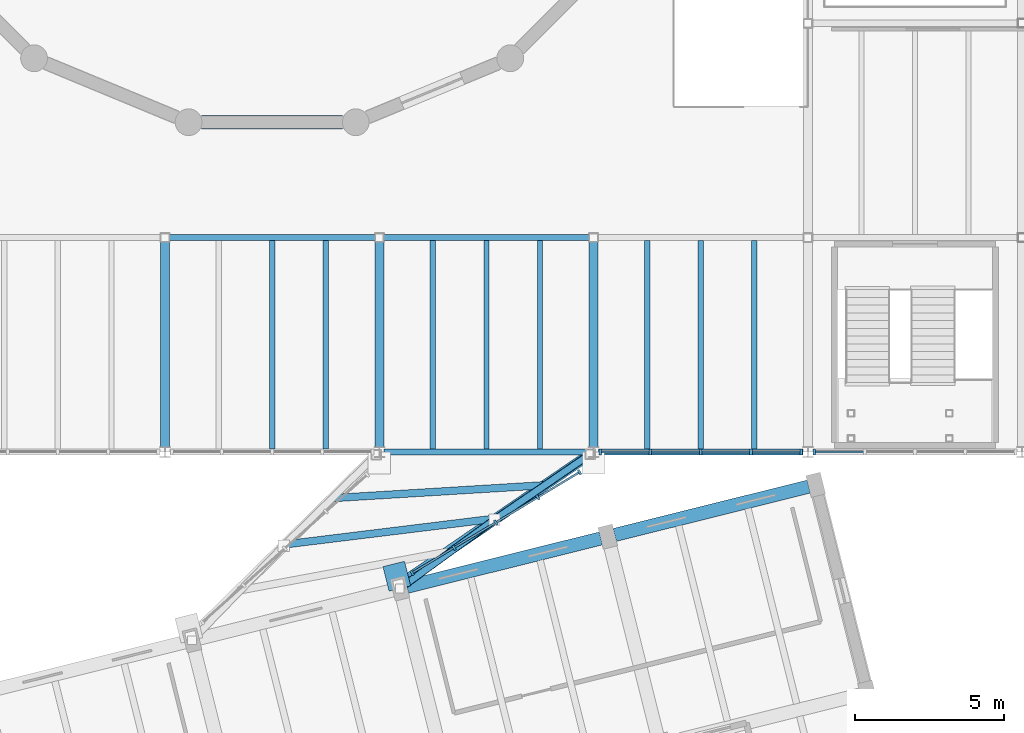
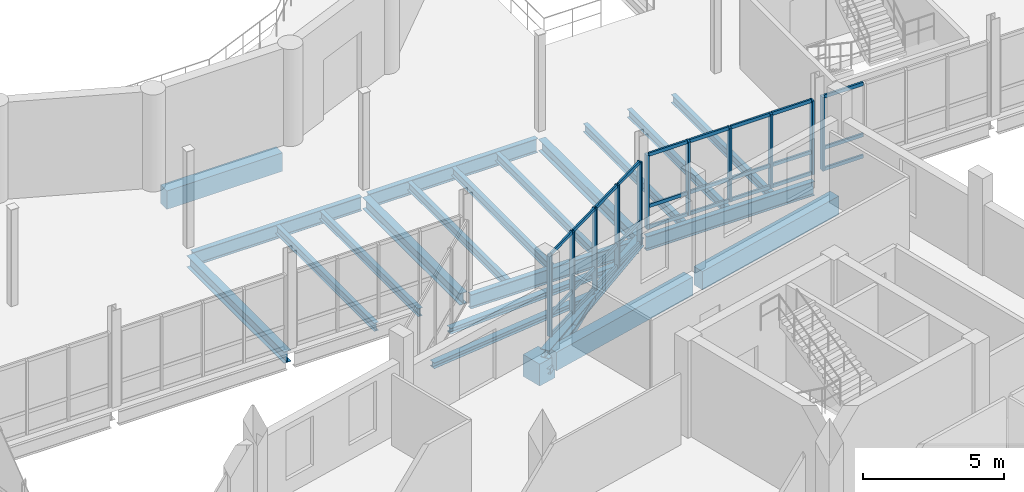
# One storey, part 24 of 72: 40 members, 22 beams, 3 elements without a shape of their own.
"""IFC4 building model written with IfcOpenShell, lengths in metres."""

from ifc_helpers import new_model, si_unit, direction, frame, origin, origin_2d, place, context, subcontext, project, spatial, rectangle, hollow_rectangle, i_section, extrude, material, material_profile, profile_set, type_object, element, aggregate, save


model = new_model("IFC4")

# Units and contexts
model_context = context("Model", 3, precision=1e-05, world=origin(), true_north=direction((0.0, 1.0)))
body_context = subcontext(model_context, "Body", "Model", "MODEL_VIEW")
ifc_project = project(units=[si_unit("LENGTHUNIT", "METRE"), si_unit("AREAUNIT", "SQUARE_METRE"), si_unit("VOLUMEUNIT", "CUBIC_METRE"), si_unit("PLANEANGLEUNIT", "RADIAN"), si_unit("MASSUNIT", "GRAM", prefix="KILO")], contexts=[model_context])

# Site, building, storey
site_placement = place(None, origin())
site = spatial("IfcSite", under=ifc_project, at=site_placement, CompositionType="ELEMENT")
building_placement = place(site_placement, origin())
building = spatial("IfcBuilding", under=site, at=building_placement, Name="Qiaolan Assembly House", CompositionType="ELEMENT")
storey_placement = place(building_placement, frame((0.0, 0.0, 10.199951171875)))
storey = spatial("IfcBuildingStorey", under=building, at=storey_placement, Name="L02", CompositionType="ELEMENT", Elevation=10.199951171875)

# Beams
ifc_material_1 = material(Name="Steel Q355B", Category="steel")
ifc_material_profile_1 = material_profile(ifc_material_1, i_section(OverallWidth=0.35009765625, OverallDepth=0.35009765625, WebThickness=0.011962890625, FlangeThickness=0.01904296875, FilletRadius=0.02001953125, at=origin_2d()), Name="HW 350x350x12x19-BR")
ifc_profile_set_1 = profile_set([ifc_material_profile_1], Name="Steel Q355B")
beam_type_1 = type_object("IfcBeamType", Name="BM-BRIDGE-CHORD-HW350", PredefinedType="BEAM", material=ifc_profile_set_1)
beam_1_placement = place(storey_placement, frame((72.662353515625, 31.52587890625, -0.364990234375), z_axis=(0.825251082805, 0.564766013787, 0.0), x_axis=(-0.564766013787, 0.825251082805, 0.0)))
element("IfcBeam", 1, at=beam_1_placement, inside=storey, type_object=beam_type_1, Name="BGB-01 skybridge main girder EB L02", PredefinedType="BEAM", context=body_context, shape_type="SweptSolid", body=[
    extrude(i_section(OverallWidth=0.35009765625, OverallDepth=0.35009765625, WebThickness=0.011962890625, FlangeThickness=0.01904296875, FilletRadius=0.02001953125, at=origin_2d()), origin(), (0.0, 0.0, 1.0), 7.781982421875),
])
ifc_material_profile_2 = material_profile(ifc_material_1, i_section(OverallWidth=0.25, OverallDepth=0.25, WebThickness=0.009033203125, FlangeThickness=0.013916015625, FilletRadius=0.01611328125, at=origin_2d()), Name="HW 250x250x9x14")
ifc_profile_set_2 = profile_set([ifc_material_profile_2], Name="Steel Q355B")
beam_type_2 = type_object("IfcBeamType", Name="BM-BRIDGE-CROSS-HW250", PredefinedType="BEAM", material=ifc_profile_set_2)
beam_2_placement = place(storey_placement, frame((68.838134765625, 32.89208984375, -0.31494140625), z_axis=(0.992547225406, 0.121860597977, 0.0), x_axis=(-0.121860597977, 0.992547225406, 0.0)))
element("IfcBeam", 2, at=beam_2_placement, inside=storey, type_object=beam_type_2, Name="BGB-02 skybridge cross beam EB L02", PredefinedType="BEAM", context=body_context, shape_type="SweptSolid", body=[
    extrude(i_section(OverallWidth=0.25, OverallDepth=0.25, WebThickness=0.009033203125, FlangeThickness=0.013916015625, FilletRadius=0.01611328125, at=origin_2d()), origin(), (0.0, 0.0, 1.0), 7.146240234375),
])
beam_3_placement = place(storey_placement, frame((70.4189453125, 34.446044921875, -0.31494140625), z_axis=(0.998150169795, 0.060796698416, 0.0), x_axis=(-0.060796698416, 0.998150169795, 0.0)))
element("IfcBeam", 3, at=beam_3_placement, inside=storey, type_object=beam_type_2, Name="BGB-02 skybridge cross beam EB L02", PredefinedType="BEAM", context=body_context, shape_type="SweptSolid", body=[
    extrude(i_section(OverallWidth=0.25, OverallDepth=0.25, WebThickness=0.009033203125, FlangeThickness=0.013916015625, FilletRadius=0.01611328125, at=origin_2d()), origin(), (0.0, 0.0, 1.0), 7.159912109375),
])
ifc_material_2 = material(Name="Concrete C50/60", Category="concrete")
ifc_material_profile_3 = material_profile(ifc_material_2, rectangle(XDim=0.75, YDim=0.949951171875, at=origin_2d()), Name="RCB 750x950")
ifc_profile_set_3 = profile_set([ifc_material_profile_3], Name="Concrete C50/60")
beam_type_3 = type_object("IfcBeamType", Name="BM-CORBEL-750x950", PredefinedType="SPANDREL", material=ifc_profile_set_3)
beam_4_placement = place(storey_placement, frame((72.691162109375, 31.409423828125, -1.051025390625), z_axis=(-0.241859697247, 0.97031123195, 0.0), x_axis=(-0.97031123195, -0.241859697247, 0.0)))
element("IfcBeam", 4, at=beam_4_placement, inside=storey, type_object=beam_type_3, Name="CB-01 movement-joint RC corbel EB L02 SE", PredefinedType="SPANDREL", context=body_context, shape_type="SweptSolid", body=[
    extrude(rectangle(XDim=0.75, YDim=0.949951171875, at=origin_2d()), origin(), (0.0, 0.0, 1.0), 0.849853515625),
])
ifc_material_3 = material(Name="Concrete C40/50", Category="concrete")
ifc_material_profile_4 = material_profile(ifc_material_3, rectangle(XDim=0.449951171875, YDim=0.800048828125, at=origin_2d()), Name="RCB 450x800")
ifc_profile_set_4 = profile_set([ifc_material_profile_4], Name="Concrete C40/50")
beam_type_4 = type_object("IfcBeamType", Name="BM-RC-450x800", PredefinedType="BEAM", material=ifc_profile_set_4)
for number, where, z_axis, x_axis, name in (
    (5, (72.924072265625, 31.467529296875, -0.64990234375), (0.970296172283, 0.241920106756, 0.0), (-0.241920106756, 0.970296172283, 0.0), "GB-03 beam BMU-SE-L02-06-03"),
    (6, (79.91015625, 33.209228515625, -0.64990234375), (0.970296172283, 0.241920106756, 0.0), (-0.241920106756, 0.970296172283, 0.0), "GB-03 beam BMU-SE-L02-07-03"),
):
    element("IfcBeam", number, at=place(storey_placement, frame(where, z_axis=z_axis, x_axis=x_axis)), inside=storey, type_object=beam_type_4, Name=name, PredefinedType="BEAM", context=body_context, shape_type="SweptSolid", body=[
        extrude(rectangle(XDim=0.449951171875, YDim=0.800048828125, at=origin_2d()), origin(), (0.0, 0.0, 1.0), 6.72021484375),
    ])
beam_5_placement = place(storey_placement, frame((66.03076171875, 47.07666015625, -0.68994140625), z_axis=(1.0, 0.0, 0.0), x_axis=(0.0, 1.0, 0.0)))
element("IfcBeam", 7, at=beam_5_placement, inside=storey, type_object=beam_type_4, Name="GB-03 beam BM-DRUM-L02-11", PredefinedType="BEAM", context=body_context, shape_type="SweptSolid", body=[
    extrude(rectangle(XDim=0.449951171875, YDim=0.800048828125, at=origin_2d()), origin(), (0.0, 0.0, 1.0), 4.738525390625),
])
ifc_material_profile_5 = material_profile(ifc_material_1, i_section(OverallWidth=0.300048828125, OverallDepth=0.5, WebThickness=0.010986328125, FlangeThickness=0.01806640625, FilletRadius=0.02001953125, at=origin_2d()), Name="HM 500x300x11x18")
ifc_profile_set_5 = profile_set([ifc_material_profile_5], Name="Steel Q355B")
beam_type_5 = type_object("IfcBeamType", Name="BM-STL-HM500", PredefinedType="BEAM", material=ifc_profile_set_5)
for number, where, z_axis, x_axis, name in (
    (8, (64.800048828125, 36.1650390625, -0.550048828125), (0.0, 1.0, 0.0), (-1.0, 0.0, 0.0), "SB-15 beam BMY-HL-L02-06-00"),
    (9, (72.0, 36.1650390625, -0.550048828125), (0.0, 1.0, 0.0), (-1.0, 0.0, 0.0), "SB-15 beam BMY-HL-L02-07-00"),
    (10, (79.199951171875, 36.1650390625, -0.550048828125), (0.0, 1.0, 0.0), (-1.0, 0.0, 0.0), "SB-15 beam BMY-HL-L02-08-00"),
):
    element("IfcBeam", number, at=place(storey_placement, frame(where, z_axis=z_axis, x_axis=x_axis)), inside=storey, type_object=beam_type_5, Name=name, PredefinedType="BEAM", context=body_context, shape_type="SweptSolid", body=[
        extrude(i_section(OverallWidth=0.300048828125, OverallDepth=0.5, WebThickness=0.010986328125, FlangeThickness=0.01806640625, FilletRadius=0.02001953125, at=origin_2d()), origin(), (0.0, 0.0, 1.0), 6.89501953125),
    ])
ifc_material_profile_6 = material_profile(ifc_material_1, i_section(OverallWidth=0.2099609375, OverallDepth=0.610107421875, WebThickness=0.010986328125, FlangeThickness=0.01806640625, FilletRadius=0.02001953125, at=origin_2d()), Name="HN 610x210x11x18")
ifc_profile_set_6 = profile_set([ifc_material_profile_6], Name="Steel Q355B")
beam_type_6 = type_object("IfcBeamType", Name="BM-STL-HN610", PredefinedType="BEAM", material=ifc_profile_set_6)
beam_6_placement = place(storey_placement, frame((72.1650390625, 36.0, -0.60498046875), z_axis=(1.0, 0.0, 0.0), x_axis=(0.0, 1.0, 0.0)))
element("IfcBeam", 11, at=beam_6_placement, inside=storey, type_object=beam_type_6, Name="SB-11 beam BMX-HL-L02-07-00", PredefinedType="BEAM", context=body_context, shape_type="SweptSolid", body=[
    extrude(i_section(OverallWidth=0.2099609375, OverallDepth=0.610107421875, WebThickness=0.010986328125, FlangeThickness=0.01806640625, FilletRadius=0.02001953125, at=origin_2d()), origin(), (0.0, 0.0, 1.0), 6.869873046875),
])
beam_7_placement = place(storey_placement, frame((79.364990234375, 36.0, -0.60498046875), z_axis=(1.0, 0.0, 0.0), x_axis=(0.0, 1.0, 0.0)))
element("IfcBeam", 12, at=beam_7_placement, inside=storey, type_object=beam_type_6, Name="SB-11 beam BMX-HL-L02-08-00", PredefinedType="BEAM", context=body_context, shape_type="SweptSolid", body=[
    extrude(i_section(OverallWidth=0.2099609375, OverallDepth=0.610107421875, WebThickness=0.010986328125, FlangeThickness=0.01806640625, FilletRadius=0.02001953125, at=origin_2d()), origin(), (0.0, 0.0, 1.0), 6.8701171875),
])
for number, where, z_axis, x_axis, name in (
    (13, (64.93994140625, 43.199951171875, -0.60498046875), (1.0, 0.0, 0.0), (0.0, 1.0, 0.0), "SB-11 beam BMX-HL-L02-06-01"),
    (14, (72.139892578125, 43.199951171875, -0.60498046875), (1.0, 0.0, 0.0), (0.0, 1.0, 0.0), "SB-11 beam BMX-HL-L02-07-01"),
):
    element("IfcBeam", number, at=place(storey_placement, frame(where, z_axis=z_axis, x_axis=x_axis)), inside=storey, type_object=beam_type_6, Name=name, PredefinedType="BEAM", context=body_context, shape_type="SweptSolid", body=[
        extrude(i_section(OverallWidth=0.2099609375, OverallDepth=0.610107421875, WebThickness=0.010986328125, FlangeThickness=0.01806640625, FilletRadius=0.02001953125, at=origin_2d()), origin(), (0.0, 0.0, 1.0), 6.920166015625),
    ])

# Curtain wall, members
ifc_material_4 = material(Name="Anodised bronze aluminium", Category="aluminium")
curtain_wall_type_1 = type_object("IfcCurtainWallType", Name="CW-BRIDGE-420", PredefinedType="NOTDEFINED", material=ifc_material_4)
curtain_wall_1_placement = place(storey_placement, origin())
curtain_wall_1 = element("IfcCurtainWall", 15, at=curtain_wall_1_placement, inside=storey, type_object=curtain_wall_type_1, Name="CW-03 Glazed Skybridge Curtain Wall EB L02 E", PredefinedType="NOTDEFINED")
ifc_material_profile_7 = material_profile(ifc_material_4, rectangle(XDim=0.077880859375, YDim=0.179931640625, at=origin_2d()), Name="MUL 78x180")
ifc_profile_set_7 = profile_set([ifc_material_profile_7], Name="Anodised bronze aluminium")
member_type_1 = type_object("IfcMemberType", Name="CW-BRIDGE-420-MUL", PredefinedType="MULLION", material=ifc_profile_set_7)
member_1_placement = place(storey_placement, frame((78.728515625, 35.316650390625, 0.0), z_axis=(0.0, 0.0, 1.0), x_axis=(-0.857119666196, -0.515117343739, 0.0)))
member_1 = element("IfcMember", 16, at=member_1_placement, type_object=member_type_1, Name="ML-04 mullion CW-BRIDGE-EB-L02-E-1", PredefinedType="MULLION", context=body_context, shape_type="SweptSolid", body=[
    extrude(rectangle(XDim=0.077880859375, YDim=0.179931640625, at=origin_2d()), origin(), (0.0, 0.0, 1.0), 3.550048828125),
])
member_2_placement = place(storey_placement, frame((77.322021484375, 34.471435546875, 0.0), z_axis=(0.0, 0.0, 1.0), x_axis=(-0.857119666196, -0.515117343739, 0.0)))
member_2 = element("IfcMember", 17, at=member_2_placement, type_object=member_type_1, Name="ML-04 mullion CW-BRIDGE-EB-L02-E-2", PredefinedType="MULLION", context=body_context, shape_type="SweptSolid", body=[
    extrude(rectangle(XDim=0.077880859375, YDim=0.179931640625, at=origin_2d()), origin(), (0.0, 0.0, 1.0), 3.550048828125),
])
member_3_placement = place(storey_placement, frame((75.91552734375, 33.6259765625, 0.0), z_axis=(0.0, 0.0, 1.0), x_axis=(-0.857119666196, -0.515117343739, 0.0)))
member_3 = element("IfcMember", 18, at=member_3_placement, type_object=member_type_1, Name="ML-04 mullion CW-BRIDGE-EB-L02-E-3", PredefinedType="MULLION", context=body_context, shape_type="SweptSolid", body=[
    extrude(rectangle(XDim=0.077880859375, YDim=0.179931640625, at=origin_2d()), origin(), (0.0, 0.0, 1.0), 3.550048828125),
])
member_4_placement = place(storey_placement, frame((74.5087890625, 32.78076171875, 0.0), z_axis=(0.0, 0.0, 1.0), x_axis=(-0.857119666196, -0.515117343739, 0.0)))
member_4 = element("IfcMember", 19, at=member_4_placement, type_object=member_type_1, Name="ML-04 mullion CW-BRIDGE-EB-L02-E-4", PredefinedType="MULLION", context=body_context, shape_type="SweptSolid", body=[
    extrude(rectangle(XDim=0.077880859375, YDim=0.179931640625, at=origin_2d()), origin(), (0.0, 0.0, 1.0), 3.550048828125),
])
member_5_placement = place(storey_placement, frame((73.102294921875, 31.935302734375, 0.0), z_axis=(0.0, 0.0, 1.0), x_axis=(-0.857119666196, -0.515117343739, 0.0)))
member_5 = element("IfcMember", 20, at=member_5_placement, type_object=member_type_1, Name="ML-04 mullion CW-BRIDGE-EB-L02-E-5", PredefinedType="MULLION", context=body_context, shape_type="SweptSolid", body=[
    extrude(rectangle(XDim=0.077880859375, YDim=0.179931640625, at=origin_2d()), origin(), (0.0, 0.0, 1.0), 3.550048828125),
])
ifc_material_profile_8 = material_profile(ifc_material_4, rectangle(XDim=0.068115234375, YDim=0.139892578125, at=origin_2d()), Name="TRN 68x140")
ifc_profile_set_8 = profile_set([ifc_material_profile_8], Name="Anodised bronze aluminium")
member_type_2 = type_object("IfcMemberType", Name="CW-BRIDGE-420-TRN", PredefinedType="USERDEFINED", material=ifc_profile_set_8)
member_6_placement = place(storey_placement, frame((78.695068359375, 35.296630859375, 0.030029296875), z_axis=(-0.857092967723, -0.515161765546, 0.0), x_axis=(0.515161765546, -0.857092967723, 0.0)))
member_6 = element("IfcMember", 21, at=member_6_placement, type_object=member_type_2, Name="TR-04 transom CW-BRIDGE-EB-L02-E-1-1", ObjectType="TRANSOM", PredefinedType="USERDEFINED", context=body_context, shape_type="SweptSolid", body=[
    extrude(rectangle(XDim=0.068115234375, YDim=0.139892578125, at=origin_2d()), origin(), (0.0, 0.0, 1.0), 1.56298828125),
])
member_7_placement = place(storey_placement, frame((78.695068359375, 35.296630859375, 0.949951171875), z_axis=(-0.857092967723, -0.515161765546, 0.0), x_axis=(0.515161765546, -0.857092967723, 0.0)))
member_7 = element("IfcMember", 22, at=member_7_placement, type_object=member_type_2, Name="TR-04 transom CW-BRIDGE-EB-L02-E-1-2", ObjectType="TRANSOM", PredefinedType="USERDEFINED", context=body_context, shape_type="SweptSolid", body=[
    extrude(rectangle(XDim=0.068115234375, YDim=0.139892578125, at=origin_2d()), origin(), (0.0, 0.0, 1.0), 1.56298828125),
])
member_8_placement = place(storey_placement, frame((78.695068359375, 35.296630859375, 3.52001953125), z_axis=(-0.857092967723, -0.515161765546, 0.0), x_axis=(0.515161765546, -0.857092967723, 0.0)))
member_8 = element("IfcMember", 23, at=member_8_placement, type_object=member_type_2, Name="TR-04 transom CW-BRIDGE-EB-L02-E-1-3", ObjectType="TRANSOM", PredefinedType="USERDEFINED", context=body_context, shape_type="SweptSolid", body=[
    extrude(rectangle(XDim=0.068115234375, YDim=0.139892578125, at=origin_2d()), origin(), (0.0, 0.0, 1.0), 1.56298828125),
])
member_9_placement = place(storey_placement, frame((77.28857421875, 34.451171875, 0.030029296875), z_axis=(-0.857092967723, -0.515161765546, 0.0), x_axis=(0.515161765546, -0.857092967723, 0.0)))
member_9 = element("IfcMember", 24, at=member_9_placement, type_object=member_type_2, Name="TR-04 transom CW-BRIDGE-EB-L02-E-2-1", ObjectType="TRANSOM", PredefinedType="USERDEFINED", context=body_context, shape_type="SweptSolid", body=[
    extrude(rectangle(XDim=0.068115234375, YDim=0.139892578125, at=origin_2d()), origin(), (0.0, 0.0, 1.0), 1.56298828125),
])
member_10_placement = place(storey_placement, frame((77.28857421875, 34.451171875, 0.949951171875), z_axis=(-0.857092967723, -0.515161765546, 0.0), x_axis=(0.515161765546, -0.857092967723, 0.0)))
member_10 = element("IfcMember", 25, at=member_10_placement, type_object=member_type_2, Name="TR-04 transom CW-BRIDGE-EB-L02-E-2-2", ObjectType="TRANSOM", PredefinedType="USERDEFINED", context=body_context, shape_type="SweptSolid", body=[
    extrude(rectangle(XDim=0.068115234375, YDim=0.139892578125, at=origin_2d()), origin(), (0.0, 0.0, 1.0), 1.56298828125),
])
member_11_placement = place(storey_placement, frame((77.28857421875, 34.451171875, 3.52001953125), z_axis=(-0.857092967723, -0.515161765546, 0.0), x_axis=(0.515161765546, -0.857092967723, 0.0)))
member_11 = element("IfcMember", 26, at=member_11_placement, type_object=member_type_2, Name="TR-04 transom CW-BRIDGE-EB-L02-E-2-3", ObjectType="TRANSOM", PredefinedType="USERDEFINED", context=body_context, shape_type="SweptSolid", body=[
    extrude(rectangle(XDim=0.068115234375, YDim=0.139892578125, at=origin_2d()), origin(), (0.0, 0.0, 1.0), 1.56298828125),
])
member_12_placement = place(storey_placement, frame((75.882080078125, 33.60595703125, 0.030029296875), z_axis=(-0.857134414714, -0.515092802428, 0.0), x_axis=(0.515092802428, -0.857134414714, 0.0)))
member_12 = element("IfcMember", 27, at=member_12_placement, type_object=member_type_2, Name="TR-04 transom CW-BRIDGE-EB-L02-E-3-1", ObjectType="TRANSOM", PredefinedType="USERDEFINED", context=body_context, shape_type="SweptSolid", body=[
    extrude(rectangle(XDim=0.068115234375, YDim=0.139892578125, at=origin_2d()), origin(), (0.0, 0.0, 1.0), 1.563232421875),
])
member_13_placement = place(storey_placement, frame((75.882080078125, 33.60595703125, 0.949951171875), z_axis=(-0.857134414714, -0.515092802428, 0.0), x_axis=(0.515092802428, -0.857134414714, 0.0)))
member_13 = element("IfcMember", 28, at=member_13_placement, type_object=member_type_2, Name="TR-04 transom CW-BRIDGE-EB-L02-E-3-2", ObjectType="TRANSOM", PredefinedType="USERDEFINED", context=body_context, shape_type="SweptSolid", body=[
    extrude(rectangle(XDim=0.068115234375, YDim=0.139892578125, at=origin_2d()), origin(), (0.0, 0.0, 1.0), 1.563232421875),
])
member_14_placement = place(storey_placement, frame((75.882080078125, 33.60595703125, 3.52001953125), z_axis=(-0.857134414714, -0.515092802428, 0.0), x_axis=(0.515092802428, -0.857134414714, 0.0)))
member_14 = element("IfcMember", 29, at=member_14_placement, type_object=member_type_2, Name="TR-04 transom CW-BRIDGE-EB-L02-E-3-3", ObjectType="TRANSOM", PredefinedType="USERDEFINED", context=body_context, shape_type="SweptSolid", body=[
    extrude(rectangle(XDim=0.068115234375, YDim=0.139892578125, at=origin_2d()), origin(), (0.0, 0.0, 1.0), 1.563232421875),
])
member_15_placement = place(storey_placement, frame((74.475341796875, 32.760498046875, 0.030029296875), z_axis=(-0.857092967723, -0.515161765546, 0.0), x_axis=(0.515161765546, -0.857092967723, 0.0)))
member_15 = element("IfcMember", 30, at=member_15_placement, type_object=member_type_2, Name="TR-04 transom CW-BRIDGE-EB-L02-E-4-1", ObjectType="TRANSOM", PredefinedType="USERDEFINED", context=body_context, shape_type="SweptSolid", body=[
    extrude(rectangle(XDim=0.068115234375, YDim=0.139892578125, at=origin_2d()), origin(), (0.0, 0.0, 1.0), 1.56298828125),
])
member_16_placement = place(storey_placement, frame((74.475341796875, 32.760498046875, 0.949951171875), z_axis=(-0.857092967723, -0.515161765546, 0.0), x_axis=(0.515161765546, -0.857092967723, 0.0)))
member_16 = element("IfcMember", 31, at=member_16_placement, type_object=member_type_2, Name="TR-04 transom CW-BRIDGE-EB-L02-E-4-2", ObjectType="TRANSOM", PredefinedType="USERDEFINED", context=body_context, shape_type="SweptSolid", body=[
    extrude(rectangle(XDim=0.068115234375, YDim=0.139892578125, at=origin_2d()), origin(), (0.0, 0.0, 1.0), 1.56298828125),
])
member_17_placement = place(storey_placement, frame((74.475341796875, 32.760498046875, 3.52001953125), z_axis=(-0.857092967723, -0.515161765546, 0.0), x_axis=(0.515161765546, -0.857092967723, 0.0)))
member_17 = element("IfcMember", 32, at=member_17_placement, type_object=member_type_2, Name="TR-04 transom CW-BRIDGE-EB-L02-E-4-3", ObjectType="TRANSOM", PredefinedType="USERDEFINED", context=body_context, shape_type="SweptSolid", body=[
    extrude(rectangle(XDim=0.068115234375, YDim=0.139892578125, at=origin_2d()), origin(), (0.0, 0.0, 1.0), 1.56298828125),
])
aggregate(curtain_wall_1, [member_1, member_2, member_3, member_4, member_5, member_6, member_7, member_8, member_9, member_10, member_11, member_12, member_13, member_14, member_15, member_16, member_17])

curtain_wall_type_2 = type_object("IfcCurtainWallType", Name="CW-HALL-UPPER-480", PredefinedType="NOTDEFINED", material=ifc_material_4)
curtain_wall_2_placement = place(storey_placement, origin())
curtain_wall_2 = element("IfcCurtainWall", 33, at=curtain_wall_2_placement, inside=storey, type_object=curtain_wall_type_2, Name="CW-01 Hall South plaza curtain wall L02-8", PredefinedType="NOTDEFINED")
ifc_material_profile_9 = material_profile(ifc_material_4, rectangle(XDim=0.0859375, YDim=0.199951171875, at=origin_2d()), Name="MUL 86x200")
ifc_profile_set_9 = profile_set([ifc_material_profile_9], Name="Anodised bronze aluminium")
member_type_3 = type_object("IfcMemberType", Name="CW-HALL-UPPER-480-MUL", PredefinedType="MULLION", material=ifc_profile_set_9)
member_18_placement = place(storey_placement, frame((79.419921875, 36.0, 0.0), z_axis=(0.0, 0.0, 1.0), x_axis=(1.0, 0.0, 0.0)))
member_18 = element("IfcMember", 34, at=member_18_placement, type_object=member_type_3, Name="ML-02 mullion CW-HALL-S-L02-07-1", PredefinedType="MULLION", context=body_context, shape_type="SweptSolid", body=[
    extrude(rectangle(XDim=0.0859375, YDim=0.199951171875, at=origin_2d()), origin(), (0.0, 0.0, 1.0), 3.199951171875),
])
member_19_placement = place(storey_placement, frame((81.110107421875, 36.0, 0.0), z_axis=(0.0, 0.0, 1.0), x_axis=(1.0, 0.0, 0.0)))
member_19 = element("IfcMember", 35, at=member_19_placement, type_object=member_type_3, Name="ML-02 mullion CW-HALL-S-L02-07-2", PredefinedType="MULLION", context=body_context, shape_type="SweptSolid", body=[
    extrude(rectangle(XDim=0.0859375, YDim=0.199951171875, at=origin_2d()), origin(), (0.0, 0.0, 1.0), 3.199951171875),
])
member_20_placement = place(storey_placement, frame((82.800048828125, 36.0, 0.0), z_axis=(0.0, 0.0, 1.0), x_axis=(1.0, 0.0, 0.0)))
member_20 = element("IfcMember", 36, at=member_20_placement, type_object=member_type_3, Name="ML-02 mullion CW-HALL-S-L02-07-3", PredefinedType="MULLION", context=body_context, shape_type="SweptSolid", body=[
    extrude(rectangle(XDim=0.0859375, YDim=0.199951171875, at=origin_2d()), origin(), (0.0, 0.0, 1.0), 3.199951171875),
])
member_21_placement = place(storey_placement, frame((84.489990234375, 36.0, 0.0), z_axis=(0.0, 0.0, 1.0), x_axis=(1.0, 0.0, 0.0)))
member_21 = element("IfcMember", 37, at=member_21_placement, type_object=member_type_3, Name="ML-02 mullion CW-HALL-S-L02-07-4", PredefinedType="MULLION", context=body_context, shape_type="SweptSolid", body=[
    extrude(rectangle(XDim=0.0859375, YDim=0.199951171875, at=origin_2d()), origin(), (0.0, 0.0, 1.0), 3.199951171875),
])
member_22_placement = place(storey_placement, frame((86.179931640625, 36.0, 0.0), z_axis=(0.0, 0.0, 1.0), x_axis=(1.0, 0.0, 0.0)))
member_22 = element("IfcMember", 38, at=member_22_placement, type_object=member_type_3, Name="ML-02 mullion CW-HALL-S-L02-07-5", PredefinedType="MULLION", context=body_context, shape_type="SweptSolid", body=[
    extrude(rectangle(XDim=0.0859375, YDim=0.199951171875, at=origin_2d()), origin(), (0.0, 0.0, 1.0), 3.199951171875),
])

# Curtain wall, member
curtain_wall_3_placement = place(storey_placement, origin())
curtain_wall_3 = element("IfcCurtainWall", 39, at=curtain_wall_3_placement, inside=storey, type_object=curtain_wall_type_2, Name="CW-01 Hall South plaza curtain wall L02-9", PredefinedType="NOTDEFINED")
member_23_placement = place(storey_placement, frame((86.6201171875, 36.0, 0.0), z_axis=(0.0, 0.0, 1.0), x_axis=(1.0, 0.0, 0.0)))
member_23 = element("IfcMember", 40, at=member_23_placement, type_object=member_type_3, Name="ML-02 mullion CW-HALL-S-L02-08-1", PredefinedType="MULLION", context=body_context, shape_type="SweptSolid", body=[
    extrude(rectangle(XDim=0.0859375, YDim=0.199951171875, at=origin_2d()), origin(), (0.0, 0.0, 1.0), 3.199951171875),
])

# Member
ifc_material_profile_10 = material_profile(ifc_material_4, rectangle(XDim=0.075927734375, YDim=0.14990234375, at=origin_2d()), Name="TRN 76x150")
ifc_profile_set_10 = profile_set([ifc_material_profile_10], Name="Anodised bronze aluminium")
member_type_4 = type_object("IfcMemberType", Name="CW-HALL-UPPER-480-TRN", PredefinedType="USERDEFINED", material=ifc_profile_set_10)
member_24_placement = place(storey_placement, frame((79.462890625, 36.0, 0.030029296875), z_axis=(1.0, 0.0, 0.0), x_axis=(0.0, 1.0, 0.0)))
member_24 = element("IfcMember", 41, at=member_24_placement, type_object=member_type_4, Name="TR-02 transom CW-HALL-S-L02-07-1-1", ObjectType="TRANSOM", PredefinedType="USERDEFINED", context=body_context, shape_type="SweptSolid", body=[
    extrude(rectangle(XDim=0.075927734375, YDim=0.14990234375, at=origin_2d()), origin(), (0.0, 0.0, 1.0), 1.60400390625),
])

member_25_placement = place(storey_placement, frame((79.462890625, 36.0, 0.949951171875), z_axis=(1.0, 0.0, 0.0), x_axis=(0.0, 1.0, 0.0)))
member_25 = element("IfcMember", 42, at=member_25_placement, type_object=member_type_4, Name="TR-02 transom CW-HALL-S-L02-07-1-2", ObjectType="TRANSOM", PredefinedType="USERDEFINED", context=body_context, shape_type="SweptSolid", body=[
    extrude(rectangle(XDim=0.075927734375, YDim=0.14990234375, at=origin_2d()), origin(), (0.0, 0.0, 1.0), 1.60400390625),
])

member_26_placement = place(storey_placement, frame((79.462890625, 36.0, 3.170166015625), z_axis=(1.0, 0.0, 0.0), x_axis=(0.0, 1.0, 0.0)))
member_26 = element("IfcMember", 43, at=member_26_placement, type_object=member_type_4, Name="TR-02 transom CW-HALL-S-L02-07-1-3", ObjectType="TRANSOM", PredefinedType="USERDEFINED", context=body_context, shape_type="SweptSolid", body=[
    extrude(rectangle(XDim=0.075927734375, YDim=0.14990234375, at=origin_2d()), origin(), (0.0, 0.0, 1.0), 1.60400390625),
])

member_27_placement = place(storey_placement, frame((81.153076171875, 36.0, 0.030029296875), z_axis=(1.0, 0.0, 0.0), x_axis=(0.0, 1.0, 0.0)))
member_27 = element("IfcMember", 44, at=member_27_placement, type_object=member_type_4, Name="TR-02 transom CW-HALL-S-L02-07-2-1", ObjectType="TRANSOM", PredefinedType="USERDEFINED", context=body_context, shape_type="SweptSolid", body=[
    extrude(rectangle(XDim=0.075927734375, YDim=0.14990234375, at=origin_2d()), origin(), (0.0, 0.0, 1.0), 1.60400390625),
])

member_28_placement = place(storey_placement, frame((81.153076171875, 36.0, 0.949951171875), z_axis=(1.0, 0.0, 0.0), x_axis=(0.0, 1.0, 0.0)))
member_28 = element("IfcMember", 45, at=member_28_placement, type_object=member_type_4, Name="TR-02 transom CW-HALL-S-L02-07-2-2", ObjectType="TRANSOM", PredefinedType="USERDEFINED", context=body_context, shape_type="SweptSolid", body=[
    extrude(rectangle(XDim=0.075927734375, YDim=0.14990234375, at=origin_2d()), origin(), (0.0, 0.0, 1.0), 1.60400390625),
])

member_29_placement = place(storey_placement, frame((81.153076171875, 36.0, 3.170166015625), z_axis=(1.0, 0.0, 0.0), x_axis=(0.0, 1.0, 0.0)))
member_29 = element("IfcMember", 46, at=member_29_placement, type_object=member_type_4, Name="TR-02 transom CW-HALL-S-L02-07-2-3", ObjectType="TRANSOM", PredefinedType="USERDEFINED", context=body_context, shape_type="SweptSolid", body=[
    extrude(rectangle(XDim=0.075927734375, YDim=0.14990234375, at=origin_2d()), origin(), (0.0, 0.0, 1.0), 1.60400390625),
])

member_30_placement = place(storey_placement, frame((82.843017578125, 36.0, 0.030029296875), z_axis=(1.0, 0.0, 0.0), x_axis=(0.0, 1.0, 0.0)))
member_30 = element("IfcMember", 47, at=member_30_placement, type_object=member_type_4, Name="TR-02 transom CW-HALL-S-L02-07-3-1", ObjectType="TRANSOM", PredefinedType="USERDEFINED", context=body_context, shape_type="SweptSolid", body=[
    extrude(rectangle(XDim=0.075927734375, YDim=0.14990234375, at=origin_2d()), origin(), (0.0, 0.0, 1.0), 1.60400390625),
])

member_31_placement = place(storey_placement, frame((82.843017578125, 36.0, 0.949951171875), z_axis=(1.0, 0.0, 0.0), x_axis=(0.0, 1.0, 0.0)))
member_31 = element("IfcMember", 48, at=member_31_placement, type_object=member_type_4, Name="TR-02 transom CW-HALL-S-L02-07-3-2", ObjectType="TRANSOM", PredefinedType="USERDEFINED", context=body_context, shape_type="SweptSolid", body=[
    extrude(rectangle(XDim=0.075927734375, YDim=0.14990234375, at=origin_2d()), origin(), (0.0, 0.0, 1.0), 1.60400390625),
])

member_32_placement = place(storey_placement, frame((82.843017578125, 36.0, 3.170166015625), z_axis=(1.0, 0.0, 0.0), x_axis=(0.0, 1.0, 0.0)))
member_32 = element("IfcMember", 49, at=member_32_placement, type_object=member_type_4, Name="TR-02 transom CW-HALL-S-L02-07-3-3", ObjectType="TRANSOM", PredefinedType="USERDEFINED", context=body_context, shape_type="SweptSolid", body=[
    extrude(rectangle(XDim=0.075927734375, YDim=0.14990234375, at=origin_2d()), origin(), (0.0, 0.0, 1.0), 1.60400390625),
])

member_33_placement = place(storey_placement, frame((84.532958984375, 36.0, 0.030029296875), z_axis=(1.0, 0.0, 0.0), x_axis=(0.0, 1.0, 0.0)))
member_33 = element("IfcMember", 50, at=member_33_placement, type_object=member_type_4, Name="TR-02 transom CW-HALL-S-L02-07-4-1", ObjectType="TRANSOM", PredefinedType="USERDEFINED", context=body_context, shape_type="SweptSolid", body=[
    extrude(rectangle(XDim=0.075927734375, YDim=0.14990234375, at=origin_2d()), origin(), (0.0, 0.0, 1.0), 1.60400390625),
])

member_34_placement = place(storey_placement, frame((84.532958984375, 36.0, 0.949951171875), z_axis=(1.0, 0.0, 0.0), x_axis=(0.0, 1.0, 0.0)))
member_34 = element("IfcMember", 51, at=member_34_placement, type_object=member_type_4, Name="TR-02 transom CW-HALL-S-L02-07-4-2", ObjectType="TRANSOM", PredefinedType="USERDEFINED", context=body_context, shape_type="SweptSolid", body=[
    extrude(rectangle(XDim=0.075927734375, YDim=0.14990234375, at=origin_2d()), origin(), (0.0, 0.0, 1.0), 1.60400390625),
])

member_35_placement = place(storey_placement, frame((84.532958984375, 36.0, 3.170166015625), z_axis=(1.0, 0.0, 0.0), x_axis=(0.0, 1.0, 0.0)))
member_35 = element("IfcMember", 52, at=member_35_placement, type_object=member_type_4, Name="TR-02 transom CW-HALL-S-L02-07-4-3", ObjectType="TRANSOM", PredefinedType="USERDEFINED", context=body_context, shape_type="SweptSolid", body=[
    extrude(rectangle(XDim=0.075927734375, YDim=0.14990234375, at=origin_2d()), origin(), (0.0, 0.0, 1.0), 1.60400390625),
])

aggregate(curtain_wall_2, [member_18, member_19, member_20, member_21, member_22, member_24, member_25, member_26, member_27, member_28, member_29, member_30, member_31, member_32, member_33, member_34, member_35])

member_36_placement = place(storey_placement, frame((86.6630859375, 36.0, 0.030029296875), z_axis=(1.0, 0.0, 0.0), x_axis=(0.0, 1.0, 0.0)))
member_36 = element("IfcMember", 53, at=member_36_placement, type_object=member_type_4, Name="TR-02 transom CW-HALL-S-L02-08-1-1", ObjectType="TRANSOM", PredefinedType="USERDEFINED", context=body_context, shape_type="SweptSolid", body=[
    extrude(rectangle(XDim=0.075927734375, YDim=0.14990234375, at=origin_2d()), origin(), (0.0, 0.0, 1.0), 1.60400390625),
])

member_37_placement = place(storey_placement, frame((86.6630859375, 36.0, 0.949951171875), z_axis=(1.0, 0.0, 0.0), x_axis=(0.0, 1.0, 0.0)))
member_37 = element("IfcMember", 54, at=member_37_placement, type_object=member_type_4, Name="TR-02 transom CW-HALL-S-L02-08-1-2", ObjectType="TRANSOM", PredefinedType="USERDEFINED", context=body_context, shape_type="SweptSolid", body=[
    extrude(rectangle(XDim=0.075927734375, YDim=0.14990234375, at=origin_2d()), origin(), (0.0, 0.0, 1.0), 1.60400390625),
])

member_38_placement = place(storey_placement, frame((86.6630859375, 36.0, 3.170166015625), z_axis=(1.0, 0.0, 0.0), x_axis=(0.0, 1.0, 0.0)))
member_38 = element("IfcMember", 55, at=member_38_placement, type_object=member_type_4, Name="TR-02 transom CW-HALL-S-L02-08-1-3", ObjectType="TRANSOM", PredefinedType="USERDEFINED", context=body_context, shape_type="SweptSolid", body=[
    extrude(rectangle(XDim=0.075927734375, YDim=0.14990234375, at=origin_2d()), origin(), (0.0, 0.0, 1.0), 1.60400390625),
])

aggregate(curtain_wall_3, [member_23, member_36, member_37, member_38])

# Beams
ifc_material_profile_11 = material_profile(ifc_material_1, i_section(OverallWidth=0.179931640625, OverallDepth=0.35498046875, WebThickness=0.007568359375, FlangeThickness=0.011474609375, FilletRadius=0.013916015625, at=origin_2d()), Name="HM 355x180x7.5x11.5")
ifc_profile_set_11 = profile_set([ifc_material_profile_11], Name="Steel Q355B")
beam_type_7 = type_object("IfcBeamType", Name="JST-STL-HM355", PredefinedType="JOIST", material=ifc_profile_set_11)
for number, where, z_axis, x_axis, name in (
    (56, (68.39990234375, 36.09912109375, -0.4775390625), (0.0, 1.0, 0.0), (-1.0, 0.0, 0.0), "SJ-04 beam JST-HL-L02-06-00-2"),
    (57, (70.199951171875, 36.09912109375, -0.4775390625), (0.0, 1.0, 0.0), (-1.0, 0.0, 0.0), "SJ-04 beam JST-HL-L02-06-00-3"),
    (58, (73.800048828125, 36.09912109375, -0.4775390625), (0.0, 1.0, 0.0), (-1.0, 0.0, 0.0), "SJ-04 beam JST-HL-L02-07-00-1"),
    (59, (75.60009765625, 36.09912109375, -0.4775390625), (0.0, 1.0, 0.0), (-1.0, 0.0, 0.0), "SJ-04 beam JST-HL-L02-07-00-2"),
    (60, (77.39990234375, 36.09912109375, -0.4775390625), (0.0, 1.0, 0.0), (-1.0, 0.0, 0.0), "SJ-04 beam JST-HL-L02-07-00-3"),
    (61, (81.0, 36.09912109375, -0.4775390625), (0.0, 1.0, 0.0), (-1.0, 0.0, 0.0), "SJ-04 beam JST-HL-L02-08-00-1"),
    (62, (82.800048828125, 36.09912109375, -0.4775390625), (0.0, 1.0, 0.0), (-1.0, 0.0, 0.0), "SJ-04 beam JST-HL-L02-08-00-2"),
    (63, (84.60009765625, 36.09912109375, -0.4775390625), (0.0, 1.0, 0.0), (-1.0, 0.0, 0.0), "SJ-04 beam JST-HL-L02-08-00-3"),
):
    element("IfcBeam", number, at=place(storey_placement, frame(where, z_axis=z_axis, x_axis=x_axis)), inside=storey, type_object=beam_type_7, Name=name, PredefinedType="JOIST", context=body_context, shape_type="SweptSolid", body=[
        extrude(i_section(OverallWidth=0.179931640625, OverallDepth=0.35498046875, WebThickness=0.007568359375, FlangeThickness=0.011474609375, FilletRadius=0.013916015625, at=origin_2d()), origin(), (0.0, 0.0, 1.0), 7.001953125),
    ])

# Members
ifc_material_profile_12 = material_profile(ifc_material_1, hollow_rectangle(XDim=0.25, YDim=0.25, WallThickness=0.010009765625, InnerFilletRadius=0.010009765625, OuterFilletRadius=0.02001953125, at=origin_2d()), Name="SHS 250x250x10")
ifc_profile_set_12 = profile_set([ifc_material_profile_12], Name="Steel Q355B")
member_type_5 = type_object("IfcMemberType", Name="MBR-BRACE-BRIDGE-SHS250", PredefinedType="BRACE", material=ifc_profile_set_12)
member_39_placement = place(storey_placement, frame((72.691162109375, 31.409423828125, -1.051025390625), z_axis=(0.796752643208, 0.57937866751, 0.171771898681), x_axis=(-0.588120043152, 0.808773648707, 0.0)))
element("IfcMember", 64, at=member_39_placement, inside=storey, type_object=member_type_5, Name="BR-03 skybridge brace EB L02", PredefinedType="BRACE", context=body_context, shape_type="SweptSolid", body=[
    extrude(hollow_rectangle(XDim=0.25, YDim=0.25, WallThickness=0.010009765625, InnerFilletRadius=0.010009765625, OuterFilletRadius=0.02001953125, at=origin_2d()), origin(), (0.0, 0.0, 1.0), 3.993896484375),
])
member_40_placement = place(storey_placement, frame((75.873291015625, 33.723388671875, -0.364990234375), z_axis=(0.825261088979, 0.564751392222, 0.0), x_axis=(-0.564751392222, 0.825261088979, 0.0)))
element("IfcMember", 65, at=member_40_placement, inside=storey, type_object=member_type_5, Name="BR-03 skybridge brace EB L02", PredefinedType="BRACE", context=body_context, shape_type="SweptSolid", body=[
    extrude(hollow_rectangle(XDim=0.25, YDim=0.25, WallThickness=0.010009765625, InnerFilletRadius=0.010009765625, OuterFilletRadius=0.02001953125, at=origin_2d()), origin(), (0.0, 0.0, 1.0), 3.89111328125),
])

save(model, "model.ifc")
